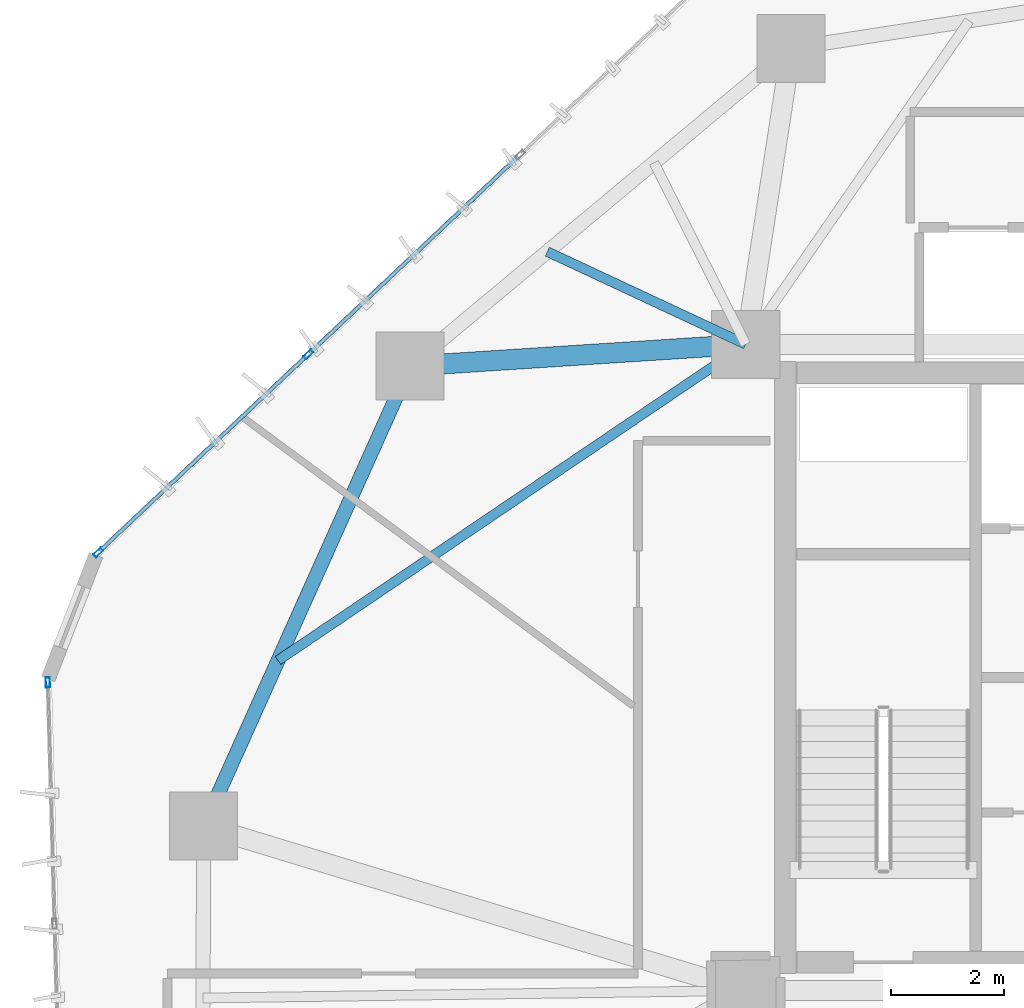
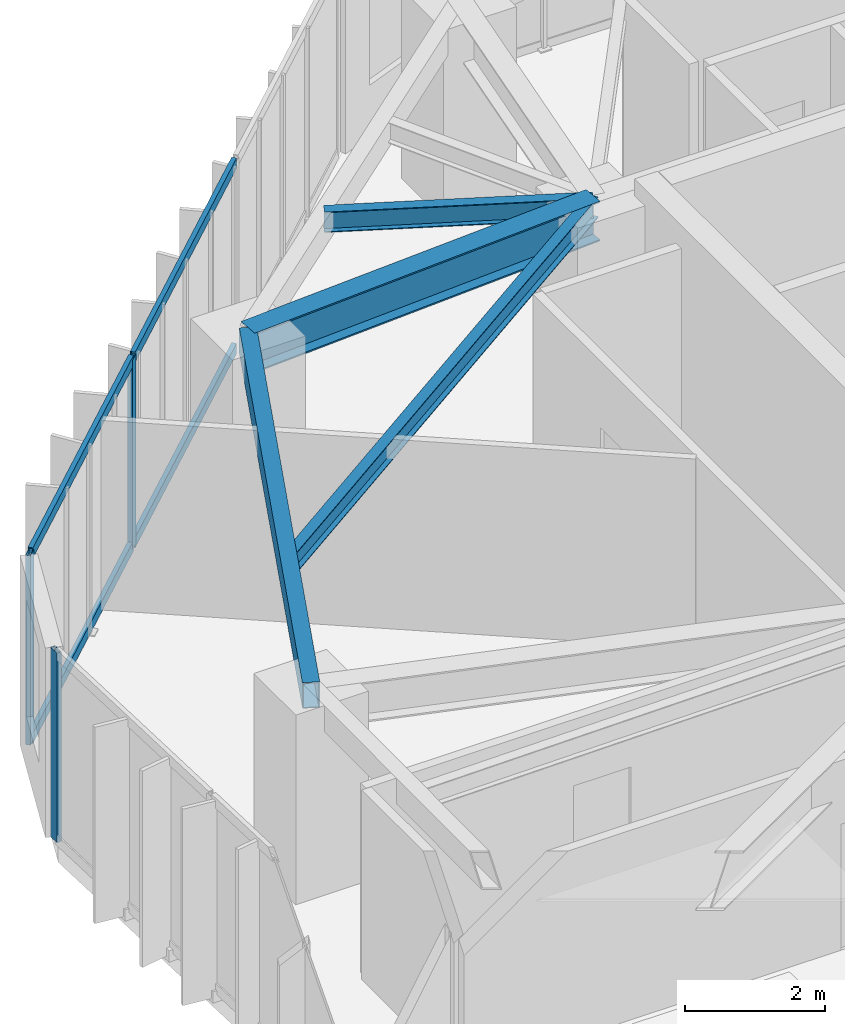
# One storey, part 9 of 22: 7 members, 4 beams, 2 elements without a shape of their own.
"""IFC4 building model written with IfcOpenShell, lengths in metres."""

import ifcopenshell
import ifcopenshell.guid

model = None  # the IFC model being written
_history = None  # IfcOwnerHistory: only IFC2X3 demands one
_inside = {}  # id of a spatial element -> (the spatial element, [elements in it])
_under = {}  # id of a project, library or spatial element -> (it, [spatial elements below it])
_declared = {}  # id of a project -> (the project, [libraries it declares])
_typed = {}  # id of a type object -> (the type object, [elements of that type])
_made_of = {}  # id of a material, layer set ... -> (it, [elements and type objects made of it])


def new_model(schema):
    """Start an empty IFC model of exactly this schema.

    Asked for "IFC4X3", IfcOpenShell would pick the latest addendum, in which some entities
    have other attributes; the version numbers below select the first issue.
    IFC2X3 requires an IfcOwnerHistory on every rooted entity: one is made here for all.
    """
    global model, _history
    if schema == "IFC4X3":
        model = ifcopenshell.file(schema_version=(4, 3, 0, 0))
    else:
        model = ifcopenshell.file(schema=schema)
    _inside.clear()
    _under.clear()
    _declared.clear()
    _typed.clear()
    _made_of.clear()
    _history = None
    if model.schema == "IFC2X3":
        org = make("IfcOrganization", Name="unknown")
        user = make(
            "IfcPersonAndOrganization",
            ThePerson=make("IfcPerson", FamilyName="unknown"),
            TheOrganization=org,
        )
        app = make(
            "IfcApplication",
            ApplicationDeveloper=org,
            Version="unknown",
            ApplicationFullName="unknown",
            ApplicationIdentifier="unknown",
        )
        _history = make(
            "IfcOwnerHistory",
            OwningUser=user,
            OwningApplication=app,
            ChangeAction="ADDED",
            CreationDate=0,
        )
    return model


def make(cls, **values):
    """One entity of the class cls with the attributes given. An attribute that is None is left unset."""
    return model.create_entity(
        cls, **{name: value for name, value in values.items() if value is not None}
    )


def rooted(cls, **values):
    """An entity with a GlobalId (a new one), such as an element, a storey or a relation."""
    return make(cls, GlobalId=ifcopenshell.guid.new(), OwnerHistory=_history, **values)


def si_unit(unit_type, name, prefix=None):
    """IfcSIUnit, for example si_unit("LENGTHUNIT", "METRE", prefix="MILLI")."""
    return make("IfcSIUnit", UnitType=unit_type, Prefix=prefix, Name=name)


def assignment(units):
    """IfcUnitAssignment: the units of a project."""
    return None if units is None else make("IfcUnitAssignment", Units=units)


def point(xyz):
    """IfcCartesianPoint."""
    return None if xyz is None else make("IfcCartesianPoint", Coordinates=xyz)


def direction(xyz):
    """IfcDirection."""
    return None if xyz is None else make("IfcDirection", DirectionRatios=xyz)


def frame(location, z_axis=None, x_axis=None):
    """IfcAxis2Placement3D, a coordinate frame: its origin and axes. An axis left out is left unset."""
    return make(
        "IfcAxis2Placement3D",
        Location=point(location),
        Axis=direction(z_axis),
        RefDirection=direction(x_axis),
    )


def frame_2d(location, x_axis=None):
    """IfcAxis2Placement2D, a coordinate frame in the plane: its origin and x axis."""
    return make(
        "IfcAxis2Placement2D", Location=point(location), RefDirection=direction(x_axis)
    )


def origin():
    """The frame at (0, 0, 0) with its axes left unset."""
    return frame((0.0, 0.0, 0.0))


def origin_2d():
    """The frame at (0, 0) in the plane with its x axis left unset."""
    return frame_2d((0.0, 0.0))


def place(relative_to, where):
    """IfcLocalPlacement: puts the frame where relative to a parent placement (None: the world)."""
    return make(
        "IfcLocalPlacement", PlacementRelTo=relative_to, RelativePlacement=where
    )


def context(
    kind, dimensions, precision=None, world=None, true_north=None, identifier=None
):
    """IfcGeometricRepresentationContext, for example the 3D "Model" context."""
    return make(
        "IfcGeometricRepresentationContext",
        ContextIdentifier=identifier,
        ContextType=kind,
        CoordinateSpaceDimension=dimensions,
        Precision=precision,
        WorldCoordinateSystem=world,
        TrueNorth=true_north,
    )


def subcontext(parent, identifier, kind, view, scale=None):
    """IfcGeometricRepresentationSubContext, for example "Body" below "Model"."""
    return make(
        "IfcGeometricRepresentationSubContext",
        ContextIdentifier=identifier,
        ContextType=kind,
        ParentContext=parent,
        TargetScale=scale,
        TargetView=view,
    )


def project(units=None, contexts=None):
    """IfcProject with its units and contexts."""
    return rooted(
        "IfcProject",
        Name="project",
        RepresentationContexts=contexts,
        UnitsInContext=assignment(units),
    )


def spatial(cls, under=None, at=None, **own):
    """A site, building, storey or space (cls), placed at a placement, below another one or the project."""
    s = rooted(cls, ObjectPlacement=at, **own)
    if under is not None:
        _under.setdefault(under.id(), (under, []))[1].append(s)
    return s


def profile(cls, at=None, kind="AREA", **sizes):
    """A parametric profile (cls). Its sizes go by their IFC names, for example OverallWidth=200.0."""
    return make(cls, ProfileType=kind, Position=at, **sizes)


def hollow_rectangle(**sizes):
    """IfcRectangleHollowProfileDef."""
    return profile("IfcRectangleHollowProfileDef", **sizes)


def i_section(**sizes):
    """IfcIShapeProfileDef."""
    return profile("IfcIShapeProfileDef", **sizes)


def extrude(swept, where, along, depth):
    """IfcExtrudedAreaSolid: the profile swept, set in the frame where, extruded along a direction by depth."""
    return make(
        "IfcExtrudedAreaSolid",
        SweptArea=swept,
        Position=where,
        ExtrudedDirection=direction(along),
        Depth=depth,
    )


def shape(context_of_items, identifier, shape_type, items):
    """IfcShapeRepresentation: the items that make up one representation, for example the "Body"."""
    return make(
        "IfcShapeRepresentation",
        ContextOfItems=context_of_items,
        RepresentationIdentifier=identifier,
        RepresentationType=shape_type,
        Items=items,
    )


def source(mapping_origin, context_of_items, identifier, shape_type, items):
    """IfcRepresentationMap: a shape defined once, which mapped items show again and again."""
    return make(
        "IfcRepresentationMap",
        MappingOrigin=mapping_origin,
        MappedRepresentation=shape(context_of_items, identifier, shape_type, items),
    )


def transform(
    local_origin,
    x_axis=None,
    y_axis=None,
    z_axis=None,
    scale=None,
    scale2=None,
    scale3=None,
    uniform=True,
):
    """IfcCartesianTransformationOperator3D, or its non-uniform kind. x_axis, y_axis, z_axis: its Axis1, 2, 3."""
    if uniform:
        return make(
            "IfcCartesianTransformationOperator3D",
            Axis1=direction(x_axis),
            Axis2=direction(y_axis),
            LocalOrigin=point(local_origin),
            Scale=scale,
            Axis3=direction(z_axis),
        )
    return make(
        "IfcCartesianTransformationOperator3DnonUniform",
        Axis1=direction(x_axis),
        Axis2=direction(y_axis),
        LocalOrigin=point(local_origin),
        Scale=scale,
        Axis3=direction(z_axis),
        Scale2=scale2,
        Scale3=scale3,
    )


def mapped(mapping_source, mapping_target):
    """IfcMappedItem: shows the shape of a source again, moved by a transform."""
    return make(
        "IfcMappedItem", MappingSource=mapping_source, MappingTarget=mapping_target
    )


def material(Name=None, Category=None):
    """IfcMaterial."""
    return make("IfcMaterial", Name=Name, Category=Category)


def layer(
    of_material, thickness, ventilated=None, Name=None, Category=None, Priority=None
):
    """IfcMaterialLayer: one layer of a wall or slab, of a material (None: an air gap)."""
    return make(
        "IfcMaterialLayer",
        Material=of_material,
        LayerThickness=thickness,
        IsVentilated=ventilated,
        Name=Name,
        Category=Category,
        Priority=Priority,
    )


def layer_set(layers, Name=None):
    """IfcMaterialLayerSet."""
    return make("IfcMaterialLayerSet", MaterialLayers=layers, LayerSetName=Name)


def material_profile(
    of_material, cross_section, Name=None, Category=None, Priority=None
):
    """IfcMaterialProfile: a cross section and its material."""
    return make(
        "IfcMaterialProfile",
        Name=Name,
        Material=of_material,
        Profile=cross_section,
        Priority=Priority,
        Category=Category,
    )


def profile_set(profiles, Name=None, composite=None):
    """IfcMaterialProfileSet."""
    return make(
        "IfcMaterialProfileSet",
        Name=Name,
        MaterialProfiles=profiles,
        CompositeProfile=composite,
    )


def made_of(thing, what):
    """Note that an element or type object is made of a material, layer set ...; save() writes the relation."""
    if what is not None:
        _made_of.setdefault(what.id(), (what, []))[1].append(thing)
    return thing


def type_object(cls, material=None, **own):
    """A type object (cls), such as IfcWallType, which elements share."""
    return made_of(rooted(cls, **own), material)


def type_shapes(of_type, sources):
    """Give a type object the sources (RepresentationMaps) that its elements show as mapped items."""
    of_type.RepresentationMaps = sources


def element(
    cls,
    number,
    at=None,
    inside=None,
    cuts=None,
    type_object=None,
    material=None,
    context=None,
    identifier="Body",
    shape_type=None,
    held_by="IfcProductDefinitionShape",
    body=None,
    shapes=None,
    **own,
):
    """One element of the class cls, such as IfcWall. Its Tag is "e" and its number.

    at: its placement. inside: the storey or other place that contains it. cuts: it is an
    opening in that element (IfcRelVoidsElement). A single representation is given by context,
    identifier, shape_type and body (its items); several are given by shapes. held_by: the class
    of the entity that holds the representations. save() writes the other relations.
    """
    e = rooted(cls, Tag="e%d" % number, ObjectPlacement=at, **own)
    if body is not None:
        shapes = [shape(context, identifier, shape_type, body)]
    if shapes is not None:
        e.Representation = make(held_by, Representations=shapes)
    if inside is not None:
        _inside.setdefault(inside.id(), (inside, []))[1].append(e)
    if cuts is not None:
        rooted(
            "IfcRelVoidsElement", RelatingBuildingElement=cuts, RelatedOpeningElement=e
        )
    if type_object is not None:
        _typed.setdefault(type_object.id(), (type_object, []))[1].append(e)
    return made_of(e, material)


def aggregate(whole, parts):
    """IfcRelAggregates: a whole, such as a stair, and the parts it consists of."""
    return rooted("IfcRelAggregates", RelatingObject=whole, RelatedObjects=parts)


def save(model, path):
    """Write the relations noted so far, then the file.

    IfcRelAggregates (storeys below a building ...), IfcRelContainedInSpatialStructure (elements
    in a storey), IfcRelDefinesByType, IfcRelAssociatesMaterial and IfcRelDeclares: one each for
    every whole, place, type object, material and project.
    """
    for whole, parts in _under.values():
        aggregate(whole, parts)
    for where, things in _inside.values():
        rooted(
            "IfcRelContainedInSpatialStructure",
            RelatedElements=things,
            RelatingStructure=where,
        )
    for kind, things in _typed.values():
        rooted("IfcRelDefinesByType", RelatedObjects=things, RelatingType=kind)
    for what, things in _made_of.values():
        rooted("IfcRelAssociatesMaterial", RelatedObjects=things, RelatingMaterial=what)
    for by, libraries in _declared.values():
        rooted("IfcRelDeclares", RelatingContext=by, RelatedDefinitions=libraries)
    model.write(path)


model = new_model("IFC4")

# Units and contexts
model_context = context("Model", 3, precision=1e-05, world=origin(), true_north=direction((0.0, 1.0)))
body_context = subcontext(model_context, "Body", "Model", "MODEL_VIEW")
ifc_project = project(units=[si_unit("LENGTHUNIT", "METRE"), si_unit("AREAUNIT", "SQUARE_METRE"), si_unit("VOLUMEUNIT", "CUBIC_METRE"), si_unit("PLANEANGLEUNIT", "RADIAN"), si_unit("MASSUNIT", "GRAM", prefix="KILO")], contexts=[model_context])

# Site, building, storey
site_placement = place(None, origin())
site = spatial("IfcSite", under=ifc_project, at=site_placement, CompositionType="ELEMENT")
building_placement = place(site_placement, origin())
building = spatial("IfcBuilding", under=site, at=building_placement, Name="Talar Marvaseh", CompositionType="ELEMENT")
storey_placement = place(building_placement, frame((0.0, 0.0, 89.39990234375)))
storey = spatial("IfcBuildingStorey", under=building, at=storey_placement, Name="L22", CompositionType="ELEMENT", Elevation=89.39990234375)

# Beams
ifc_material_1 = material(Name="Steel S355", Category="steel")
ifc_material_profile_1 = material_profile(ifc_material_1, hollow_rectangle(XDim=0.25, YDim=0.449951171875, WallThickness=0.01611328125, at=origin_2d()), Name="RHS450x250x16")
ifc_profile_set_1 = profile_set([ifc_material_profile_1], Name="Steel S355")
beam_type_1 = type_object("IfcBeamType", Name="Zone 2 Perimeter Spandrel Beam RHS450x250x16", PredefinedType="SPANDREL", material=ifc_profile_set_1)
beam_1_placement = place(storey_placement, frame((9.137939453125, 28.402099609375, 3.085205078125), z_axis=(0.409461733275, 0.912327292688, 0.0), x_axis=(-0.912327292688, 0.409461733275, 0.0)))
element("IfcBeam", 1, at=beam_1_placement, inside=storey, type_object=beam_type_1, Name="L22 Zone 2 Perimeter Spandrel Beam RHS450x250x16", PredefinedType="SPANDREL", context=body_context, shape_type="SweptSolid", body=[
    extrude(hollow_rectangle(XDim=0.25, YDim=0.449951171875, WallThickness=0.01611328125, at=origin_2d()), origin(), (0.0, 0.0, 1.0), 8.894775390625),
])
ifc_material_profile_2 = material_profile(ifc_material_1, i_section(OverallWidth=0.35498046875, OverallDepth=0.695068359375, WebThickness=0.015380859375, FlangeThickness=0.02490234375, at=origin_2d()), Name="W690x217")
ifc_profile_set_2 = profile_set([ifc_material_profile_2], Name="Steel S355")
beam_type_2 = type_object("IfcBeamType", Name="Zone 2 Radial Floor Girder W690x217", PredefinedType="BEAM", material=ifc_profile_set_2)
beam_2_placement = place(storey_placement, frame((12.780029296875, 36.51708984375, 2.962646484375), z_axis=(0.997915745008, 0.064530348407, 0.0), x_axis=(-0.064530348407, 0.997915745008, 0.0)))
element("IfcBeam", 2, at=beam_2_placement, inside=storey, type_object=beam_type_2, Name="L22 Zone 2 Radial Floor Girder W690x217", PredefinedType="BEAM", context=body_context, shape_type="SweptSolid", body=[
    extrude(i_section(OverallWidth=0.35498046875, OverallDepth=0.695068359375, WebThickness=0.015380859375, FlangeThickness=0.02490234375, at=origin_2d()), origin(), (0.0, 0.0, 1.0), 5.932373046875),
])
ifc_material_profile_3 = material_profile(ifc_material_1, i_section(OverallWidth=0.172119140625, OverallDepth=0.35791015625, WebThickness=0.0078125, FlangeThickness=0.01318359375, at=origin_2d()), Name="W360x57")
ifc_profile_set_3 = profile_set([ifc_material_profile_3], Name="Steel S355")
beam_type_3 = type_object("IfcBeamType", Name="Zone 2 Secondary Floor Joist W360x57", PredefinedType="JOIST", material=ifc_profile_set_3)
beam_3_placement = place(storey_placement, frame((10.44921875, 31.323486328125, 3.131103515625), z_axis=(0.828514577653, 0.55996749425, 0.0), x_axis=(-0.55996749425, 0.828514577653, 0.0)))
element("IfcBeam", 3, at=beam_3_placement, inside=storey, type_object=beam_type_3, Name="L22 Zone 2 Secondary Floor Joist W360x57", PredefinedType="JOIST", context=body_context, shape_type="SweptSolid", body=[
    extrude(i_section(OverallWidth=0.172119140625, OverallDepth=0.35791015625, WebThickness=0.0078125, FlangeThickness=0.01318359375, at=origin_2d()), origin(), (0.0, 0.0, 1.0), 9.95849609375),
])
beam_4_placement = place(storey_placement, frame((15.19970703125, 38.53515625, 3.131103515625), z_axis=(0.906003856895, -0.423269431086, 0.0), x_axis=(0.423269431086, 0.906003856895, 0.0)))
element("IfcBeam", 4, at=beam_4_placement, inside=storey, type_object=beam_type_3, Name="L22 Zone 2 Secondary Floor Joist W360x57", PredefinedType="JOIST", context=body_context, shape_type="SweptSolid", body=[
    extrude(i_section(OverallWidth=0.172119140625, OverallDepth=0.35791015625, WebThickness=0.0078125, FlangeThickness=0.01318359375, at=origin_2d()), origin(), (0.0, 0.0, 1.0), 3.86328125),
])

# Curtain wall, member
ifc_material_2 = material(Name="Architectural Aluminium", Category="aluminium")
ifc_layer = layer(ifc_material_2, 0.199951171875)
ifc_layer_set = layer_set([ifc_layer], Name="Architectural Aluminium")
curtain_wall_type = type_object("IfcCurtainWallType", Name="Unitised Acoustic Library Curtain Wall Z2", PredefinedType="NOTDEFINED", material=ifc_layer_set)
curtain_wall_1_placement = place(storey_placement, origin())
curtain_wall_1 = element("IfcCurtainWall", 5, at=curtain_wall_1_placement, inside=storey, type_object=curtain_wall_type, Name="L22 Unitised Acoustic Library Curtain Wall Z2", PredefinedType="NOTDEFINED")
ifc_material_profile_4 = material_profile(ifc_material_2, hollow_rectangle(XDim=0.074951171875, YDim=0.179931640625, WallThickness=0.0048828125, at=origin_2d()), Name="RHS180x75x5")
ifc_profile_set_4 = profile_set([ifc_material_profile_4], Name="Architectural Aluminium")
member_type_1 = type_object("IfcMemberType", Name="Unitised Curtain Wall Standard Mullion RHS180x75x5", PredefinedType="MULLION", material=ifc_profile_set_4)
shared_shape_1 = source(origin(), body_context, "Body", "SweptSolid", [
    extrude(hollow_rectangle(XDim=0.074951171875, YDim=0.179931640625, WallThickness=0.0048828125, at=origin_2d()), origin(), (0.0, 0.0, 1.0), 3.31005859375),
])
type_shapes(member_type_1, [shared_shape_1])
member_1_placement = place(storey_placement, frame((6.38916015625, 30.9365234375, 0.0), z_axis=(0.0, 0.0, 1.0), x_axis=(-0.999611927565, -0.027856673719, 0.0)))
member_1 = element("IfcMember", 6, at=member_1_placement, type_object=member_type_1, Name="CW-Z2 mullion 5", PredefinedType="MULLION", context=body_context, shape_type="MappedRepresentation", body=[
    mapped(shared_shape_1, transform((0.0, 0.0, 0.0), x_axis=(1.0, 0.0, 0.0), y_axis=(0.0, 1.0, 0.0), z_axis=(0.0, 0.0, 1.0), scale=1.0)),
])
aggregate(curtain_wall_1, [member_1])

# Curtain wall, members
curtain_wall_2_placement = place(storey_placement, origin())
curtain_wall_2 = element("IfcCurtainWall", 7, at=curtain_wall_2_placement, inside=storey, type_object=curtain_wall_type, Name="L22 Unitised Acoustic Library Curtain Wall Z2", PredefinedType="NOTDEFINED")
member_2_placement = place(storey_placement, frame((7.27783203125, 33.228759765625, 0.0), z_axis=(0.0, 0.0, 1.0), x_axis=(-0.686045202002, 0.727558919133, 0.0)))
member_2 = element("IfcMember", 8, at=member_2_placement, type_object=member_type_1, Name="CW-Z2 mullion 1", PredefinedType="MULLION", context=body_context, shape_type="MappedRepresentation", body=[
    mapped(shared_shape_1, transform((0.0, 0.0, 0.0), x_axis=(1.0, 0.0, 0.0), y_axis=(0.0, 1.0, 0.0), z_axis=(0.0, 0.0, 1.0), scale=1.0)),
])
member_3_placement = place(storey_placement, frame((10.98291015625, 36.722412109375, 0.0), z_axis=(0.0, 0.0, 1.0), x_axis=(-0.686045202002, 0.727558919133, 0.0)))
member_3 = element("IfcMember", 9, at=member_3_placement, type_object=member_type_1, Name="CW-Z2 mullion 2", PredefinedType="MULLION", context=body_context, shape_type="MappedRepresentation", body=[
    mapped(shared_shape_1, transform((0.0, 0.0, 0.0), x_axis=(1.0, 0.0, 0.0), y_axis=(0.0, 1.0, 0.0), z_axis=(0.0, 0.0, 1.0), scale=1.0)),
])
ifc_material_profile_5 = material_profile(ifc_material_2, hollow_rectangle(XDim=0.074951171875, YDim=0.179931640625, WallThickness=0.0048828125, at=origin_2d()), Name="RHS180x75x5")
ifc_profile_set_5 = profile_set([ifc_material_profile_5], Name="Architectural Aluminium")
member_type_2 = type_object("IfcMemberType", Name="Unitised Curtain Wall Transom RHS180x75x5", PredefinedType="USERDEFINED", material=ifc_profile_set_5)
shared_shape_2 = source(origin(), body_context, "Body", "SweptSolid", [
    extrude(hollow_rectangle(XDim=0.074951171875, YDim=0.179931640625, WallThickness=0.0048828125, at=origin_2d()), origin(), (0.0, 0.0, 1.0), 5.017578125),
])
member_4_placement = place(storey_placement, frame((7.30517578125, 33.25439453125, 0.03759765625), z_axis=(0.727531115156, 0.686074687246, 0.0), x_axis=(-0.686074687246, 0.727531115156, 0.0)))
member_4 = element("IfcMember", 10, at=member_4_placement, type_object=member_type_2, Name="CW-Z2 transom 1.1", ObjectType="TRANSOM", PredefinedType="USERDEFINED", context=body_context, shape_type="MappedRepresentation", body=[
    mapped(shared_shape_2, transform((0.0, 0.0, 0.0), x_axis=(1.0, 0.0, 0.0), y_axis=(0.0, 1.0, 0.0), z_axis=(0.0, 0.0, 1.0), scale=1.0)),
])
member_5_placement = place(storey_placement, frame((7.30517578125, 33.25439453125, 3.272705078125), z_axis=(0.727531115156, 0.686074687246, 0.0), x_axis=(-0.686074687246, 0.727531115156, 0.0)))
member_5 = element("IfcMember", 11, at=member_5_placement, type_object=member_type_2, Name="CW-Z2 transom 1.2", ObjectType="TRANSOM", PredefinedType="USERDEFINED", context=body_context, shape_type="MappedRepresentation", body=[
    mapped(shared_shape_2, transform((0.0, 0.0, 0.0), x_axis=(1.0, 0.0, 0.0), y_axis=(0.0, 1.0, 0.0), z_axis=(0.0, 0.0, 1.0), scale=1.0)),
])
shared_shape_3 = source(origin(), body_context, "Body", "SweptSolid", [
    extrude(hollow_rectangle(XDim=0.074951171875, YDim=0.179931640625, WallThickness=0.0048828125, at=origin_2d()), origin(), (0.0, 0.0, 1.0), 5.054931640625),
])
type_shapes(member_type_2, [shared_shape_2, shared_shape_3])
member_6_placement = place(storey_placement, frame((11.01025390625, 36.748046875, 0.03759765625), z_axis=(0.727546012567, 0.686058889307, 0.0), x_axis=(-0.686058889307, 0.727546012567, 0.0)))
member_6 = element("IfcMember", 12, at=member_6_placement, type_object=member_type_2, Name="CW-Z2 transom 2.1", ObjectType="TRANSOM", PredefinedType="USERDEFINED", context=body_context, shape_type="MappedRepresentation", body=[
    mapped(shared_shape_3, transform((0.0, 0.0, 0.0), x_axis=(1.0, 0.0, 0.0), y_axis=(0.0, 1.0, 0.0), z_axis=(0.0, 0.0, 1.0), scale=1.0)),
])
member_7_placement = place(storey_placement, frame((11.01025390625, 36.748046875, 3.272705078125), z_axis=(0.727546012567, 0.686058889307, 0.0), x_axis=(-0.686058889307, 0.727546012567, 0.0)))
member_7 = element("IfcMember", 13, at=member_7_placement, type_object=member_type_2, Name="CW-Z2 transom 2.2", ObjectType="TRANSOM", PredefinedType="USERDEFINED", context=body_context, shape_type="MappedRepresentation", body=[
    mapped(shared_shape_3, transform((0.0, 0.0, 0.0), x_axis=(1.0, 0.0, 0.0), y_axis=(0.0, 1.0, 0.0), z_axis=(0.0, 0.0, 1.0), scale=1.0)),
])
aggregate(curtain_wall_2, [member_2, member_3, member_4, member_5, member_6, member_7])

save(model, "model.ifc")
